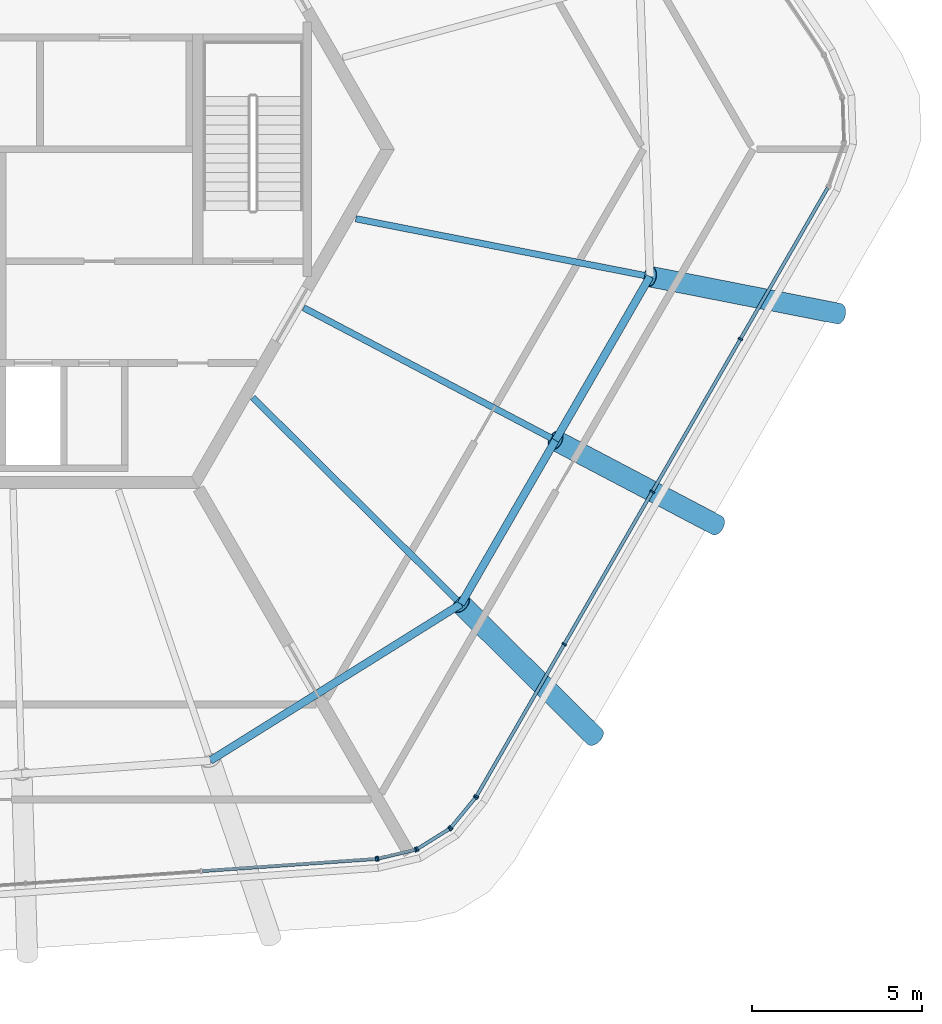
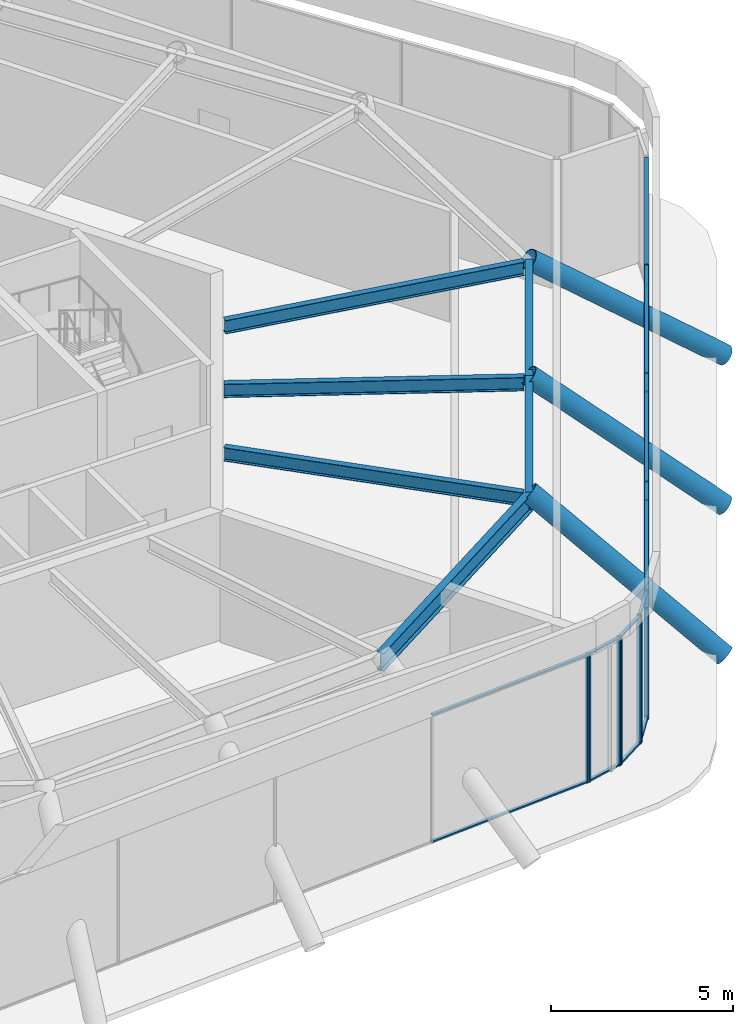
# One storey, part 4 of 13: 30 members, 6 beams, 5 elements without a shape of their own.
"""IFC4 building model written with IfcOpenShell, lengths in metres."""

from ifc_helpers import new_model, si_unit, direction, frame, origin, origin_2d, place, context, subcontext, project, spatial, rectangle, hollow_circle, i_section, extrude, material, material_profile, profile_set, type_object, element, aggregate, save


model = new_model("IFC4")

# Units and contexts
model_context = context("Model", 3, precision=1e-05, world=origin(), true_north=direction((0.0, 1.0)))
body_context = subcontext(model_context, "Body", "Model", "MODEL_VIEW")
ifc_project = project(units=[si_unit("LENGTHUNIT", "METRE"), si_unit("AREAUNIT", "SQUARE_METRE"), si_unit("VOLUMEUNIT", "CUBIC_METRE"), si_unit("PLANEANGLEUNIT", "RADIAN"), si_unit("MASSUNIT", "GRAM", prefix="KILO")], contexts=[model_context])

# Site, building, storey
site_placement = place(None, origin())
site = spatial("IfcSite", under=ifc_project, at=site_placement, CompositionType="ELEMENT")
building_placement = place(site_placement, origin())
building = spatial("IfcBuilding", under=site, at=building_placement, Name="Tarnside Tower", CompositionType="ELEMENT")
storey_placement = place(building_placement, frame((0.0, 0.0, 388.199951171875)))
storey = spatial("IfcBuildingStorey", under=building, at=storey_placement, Name="L92", CompositionType="ELEMENT", Elevation=388.199951171875)

# Curtain wall, members
ifc_material_1 = material(Name="Crown glazing wall", Category="glass")
curtain_wall_type = type_object("IfcCurtainWallType", Name="Crown glazing wall", PredefinedType="NOTDEFINED", material=ifc_material_1)
curtain_wall_1_placement = place(storey_placement, origin())
curtain_wall_1 = element("IfcCurtainWall", 1, at=curtain_wall_1_placement, inside=storey, type_object=curtain_wall_type, Name="Crown glazing L92 08", PredefinedType="NOTDEFINED")
ifc_material_2 = material(Name="Aluminium alloy 6063", Category="aluminium")
ifc_material_profile_1 = material_profile(ifc_material_2, rectangle(XDim=0.139892578125, YDim=0.050048828125, at=origin_2d()), Name="Crown glazing mullion 50 x 140")
ifc_profile_set_1 = profile_set([ifc_material_profile_1], Name="Aluminium alloy 6063")
member_type_1 = type_object("IfcMemberType", Name="Crown glazing mullion 50 x 140", PredefinedType="MULLION", material=ifc_profile_set_1)
member_1_placement = place(storey_placement, frame((21.748291015625, -5.591064453125, 0.0), z_axis=(0.0, 0.0, 1.0), x_axis=(0.866025403784, -0.5, 0.0)))
member_1 = element("IfcMember", 2, at=member_1_placement, type_object=member_type_1, Name="CW6 mullion 2", PredefinedType="MULLION", context=body_context, shape_type="SweptSolid", body=[
    extrude(rectangle(XDim=0.139892578125, YDim=0.050048828125, at=origin_2d()), origin(), (0.0, 0.0, 1.0), 4.300048828125),
])
member_2_placement = place(storey_placement, frame((19.150634765625, -10.090087890625, 0.0), z_axis=(0.0, 0.0, 1.0), x_axis=(0.866025403784, -0.5, 0.0)))
member_2 = element("IfcMember", 3, at=member_2_placement, type_object=member_type_1, Name="CW6 mullion 3", PredefinedType="MULLION", context=body_context, shape_type="SweptSolid", body=[
    extrude(rectangle(XDim=0.139892578125, YDim=0.050048828125, at=origin_2d()), origin(), (0.0, 0.0, 1.0), 4.300048828125),
])
member_3_placement = place(storey_placement, frame((16.55322265625, -14.589111328125, 0.0), z_axis=(0.0, 0.0, 1.0), x_axis=(0.866025403784, -0.5, 0.0)))
member_3 = element("IfcMember", 4, at=member_3_placement, type_object=member_type_1, Name="CW6 mullion 4", PredefinedType="MULLION", context=body_context, shape_type="SweptSolid", body=[
    extrude(rectangle(XDim=0.139892578125, YDim=0.050048828125, at=origin_2d()), origin(), (0.0, 0.0, 1.0), 4.300048828125),
])
member_4_placement = place(storey_placement, frame((13.96826171875, -19.06640625, 0.0), z_axis=(0.0, 0.0, 1.0), x_axis=(0.866025403784, -0.5, 0.0)))
member_4 = element("IfcMember", 5, at=member_4_placement, type_object=member_type_1, Name="CW6 mullion 5", PredefinedType="MULLION", context=body_context, shape_type="SweptSolid", body=[
    extrude(rectangle(XDim=0.139892578125, YDim=0.050048828125, at=origin_2d()), origin(), (0.0, 0.0, 1.0), 4.300048828125),
])

curtain_wall_2_placement = place(storey_placement, origin())
curtain_wall_2 = element("IfcCurtainWall", 6, at=curtain_wall_2_placement, inside=storey, type_object=curtain_wall_type, Name="Crown glazing L92 09", PredefinedType="NOTDEFINED")
member_5_placement = place(storey_placement, frame((13.93994140625, -19.107421875, 0.0), z_axis=(0.0, 0.0, 1.0), x_axis=(0.773471592572, -0.633830967597, 0.0)))
member_5 = element("IfcMember", 7, at=member_5_placement, type_object=member_type_1, Name="CW6 mullion 1", PredefinedType="MULLION", context=body_context, shape_type="SweptSolid", body=[
    extrude(rectangle(XDim=0.139892578125, YDim=0.050048828125, at=origin_2d()), origin(), (0.0, 0.0, 1.0), 4.300048828125),
])
member_6_placement = place(storey_placement, frame((13.21435546875, -19.99267578125, 0.0), z_axis=(0.0, 0.0, 1.0), x_axis=(0.773471592572, -0.633830967597, 0.0)))
member_6 = element("IfcMember", 8, at=member_6_placement, type_object=member_type_1, Name="CW6 mullion 2", PredefinedType="MULLION", context=body_context, shape_type="SweptSolid", body=[
    extrude(rectangle(XDim=0.139892578125, YDim=0.050048828125, at=origin_2d()), origin(), (0.0, 0.0, 1.0), 4.300048828125),
])

curtain_wall_3_placement = place(storey_placement, origin())
curtain_wall_3 = element("IfcCurtainWall", 9, at=curtain_wall_3_placement, inside=storey, type_object=curtain_wall_type, Name="Crown glazing L92 10", PredefinedType="NOTDEFINED")
member_7_placement = place(storey_placement, frame((13.17724609375, -20.025146484375, 0.0), z_axis=(0.0, 0.0, 1.0), x_axis=(0.529919264485, -0.848048095999, 0.0)))
member_7 = element("IfcMember", 10, at=member_7_placement, type_object=member_type_1, Name="CW6 mullion 1", PredefinedType="MULLION", context=body_context, shape_type="SweptSolid", body=[
    extrude(rectangle(XDim=0.139892578125, YDim=0.050048828125, at=origin_2d()), origin(), (0.0, 0.0, 1.0), 4.300048828125),
])
member_8_placement = place(storey_placement, frame((12.221923828125, -20.6220703125, 0.0), z_axis=(0.0, 0.0, 1.0), x_axis=(0.529919264485, -0.848048095999, 0.0)))
member_8 = element("IfcMember", 11, at=member_8_placement, type_object=member_type_1, Name="CW6 mullion 2", PredefinedType="MULLION", context=body_context, shape_type="SweptSolid", body=[
    extrude(rectangle(XDim=0.139892578125, YDim=0.050048828125, at=origin_2d()), origin(), (0.0, 0.0, 1.0), 4.300048828125),
])

curtain_wall_4_placement = place(storey_placement, origin())
curtain_wall_4 = element("IfcCurtainWall", 12, at=curtain_wall_4_placement, inside=storey, type_object=curtain_wall_type, Name="Crown glazing L92 11", PredefinedType="NOTDEFINED")
member_9_placement = place(storey_placement, frame((12.176513671875, -20.64111328125, 0.0), z_axis=(0.0, 0.0, 1.0), x_axis=(0.230615871195, -0.973044870472, 0.0)))
member_9 = element("IfcMember", 13, at=member_9_placement, type_object=member_type_1, Name="CW6 mullion 1", PredefinedType="MULLION", context=body_context, shape_type="SweptSolid", body=[
    extrude(rectangle(XDim=0.139892578125, YDim=0.050048828125, at=origin_2d()), origin(), (0.0, 0.0, 1.0), 4.300048828125),
])
member_10_placement = place(storey_placement, frame((11.062744140625, -20.9052734375, 0.0), z_axis=(0.0, 0.0, 1.0), x_axis=(0.230615871195, -0.973044870472, 0.0)))
member_10 = element("IfcMember", 14, at=member_10_placement, type_object=member_type_1, Name="CW6 mullion 2", PredefinedType="MULLION", context=body_context, shape_type="SweptSolid", body=[
    extrude(rectangle(XDim=0.139892578125, YDim=0.050048828125, at=origin_2d()), origin(), (0.0, 0.0, 1.0), 4.300048828125),
])

# Curtain wall, member
curtain_wall_5_placement = place(storey_placement, origin())
curtain_wall_5 = element("IfcCurtainWall", 15, at=curtain_wall_5_placement, inside=storey, type_object=curtain_wall_type, Name="Crown glazing L92 12", PredefinedType="NOTDEFINED")
member_11_placement = place(storey_placement, frame((11.013427734375, -20.91259765625, 0.0), z_axis=(0.0, 0.0, 1.0), x_axis=(0.069756473744, -0.99756405026, 0.0)))
member_11 = element("IfcMember", 16, at=member_11_placement, type_object=member_type_1, Name="CW6 mullion 1", PredefinedType="MULLION", context=body_context, shape_type="SweptSolid", body=[
    extrude(rectangle(XDim=0.139892578125, YDim=0.050048828125, at=origin_2d()), origin(), (0.0, 0.0, 1.0), 4.300048828125),
])

# Member
ifc_material_profile_2 = material_profile(ifc_material_2, rectangle(XDim=0.10009765625, YDim=0.050048828125, at=origin_2d()), Name="Crown glazing transom 50 x 100")
ifc_profile_set_2 = profile_set([ifc_material_profile_2], Name="Aluminium alloy 6063")
member_type_2 = type_object("IfcMemberType", Name="Crown glazing transom 50 x 100", PredefinedType="USERDEFINED", material=ifc_profile_set_2)
member_12_placement = place(storey_placement, frame((24.32080078125, -1.13525390625, 0.025146484375), z_axis=(-0.500005879718, -0.866022009101, 0.0), x_axis=(0.866022009101, -0.500005879718, 0.0)))
member_12 = element("IfcMember", 17, at=member_12_placement, type_object=member_type_2, Name="CW6 transom 1.1", ObjectType="TRANSOM", PredefinedType="USERDEFINED", context=body_context, shape_type="SweptSolid", body=[
    extrude(rectangle(XDim=0.10009765625, YDim=0.050048828125, at=origin_2d()), origin(), (0.0, 0.0, 1.0), 5.1201171875),
])

member_13_placement = place(storey_placement, frame((24.32080078125, -1.13525390625, 4.275146484375), z_axis=(-0.500005879718, -0.866022009101, 0.0), x_axis=(0.866022009101, -0.500005879718, 0.0)))
member_13 = element("IfcMember", 18, at=member_13_placement, type_object=member_type_2, Name="CW6 transom 1.2", ObjectType="TRANSOM", PredefinedType="USERDEFINED", context=body_context, shape_type="SweptSolid", body=[
    extrude(rectangle(XDim=0.10009765625, YDim=0.050048828125, at=origin_2d()), origin(), (0.0, 0.0, 1.0), 5.1201171875),
])

member_14_placement = place(storey_placement, frame((21.735595703125, -5.61279296875, 0.025146484375), z_axis=(-0.5000127264, -0.866018056069, 0.0), x_axis=(0.866018056069, -0.5000127264, 0.0)))
member_14 = element("IfcMember", 19, at=member_14_placement, type_object=member_type_2, Name="CW6 transom 2.1", ObjectType="TRANSOM", PredefinedType="USERDEFINED", context=body_context, shape_type="SweptSolid", body=[
    extrude(rectangle(XDim=0.10009765625, YDim=0.050048828125, at=origin_2d()), origin(), (0.0, 0.0, 1.0), 5.144775390625),
])

member_15_placement = place(storey_placement, frame((21.735595703125, -5.61279296875, 4.275146484375), z_axis=(-0.5000127264, -0.866018056069, 0.0), x_axis=(0.866018056069, -0.5000127264, 0.0)))
member_15 = element("IfcMember", 20, at=member_15_placement, type_object=member_type_2, Name="CW6 transom 2.2", ObjectType="TRANSOM", PredefinedType="USERDEFINED", context=body_context, shape_type="SweptSolid", body=[
    extrude(rectangle(XDim=0.10009765625, YDim=0.050048828125, at=origin_2d()), origin(), (0.0, 0.0, 1.0), 5.144775390625),
])

member_16_placement = place(storey_placement, frame((19.13818359375, -10.111572265625, 0.025146484375), z_axis=(-0.499992178984, -0.866029919203, 0.0), x_axis=(0.866029919203, -0.499992178984, 0.0)))
member_16 = element("IfcMember", 21, at=member_16_placement, type_object=member_type_2, Name="CW6 transom 3.1", ObjectType="TRANSOM", PredefinedType="USERDEFINED", context=body_context, shape_type="SweptSolid", body=[
    extrude(rectangle(XDim=0.10009765625, YDim=0.050048828125, at=origin_2d()), origin(), (0.0, 0.0, 1.0), 5.14501953125),
])

member_17_placement = place(storey_placement, frame((19.13818359375, -10.111572265625, 4.275146484375), z_axis=(-0.499992178984, -0.866029919203, 0.0), x_axis=(0.866029919203, -0.499992178984, 0.0)))
member_17 = element("IfcMember", 22, at=member_17_placement, type_object=member_type_2, Name="CW6 transom 3.2", ObjectType="TRANSOM", PredefinedType="USERDEFINED", context=body_context, shape_type="SweptSolid", body=[
    extrude(rectangle(XDim=0.10009765625, YDim=0.050048828125, at=origin_2d()), origin(), (0.0, 0.0, 1.0), 5.14501953125),
])

member_18_placement = place(storey_placement, frame((16.540771484375, -14.610595703125, 0.025146484375), z_axis=(-0.500005879718, -0.866022009101, 0.0), x_axis=(0.866022009101, -0.500005879718, 0.0)))
member_18 = element("IfcMember", 23, at=member_18_placement, type_object=member_type_2, Name="CW6 transom 4.1", ObjectType="TRANSOM", PredefinedType="USERDEFINED", context=body_context, shape_type="SweptSolid", body=[
    extrude(rectangle(XDim=0.10009765625, YDim=0.050048828125, at=origin_2d()), origin(), (0.0, 0.0, 1.0), 5.1201171875),
])

member_19_placement = place(storey_placement, frame((16.540771484375, -14.610595703125, 4.275146484375), z_axis=(-0.500005879718, -0.866022009101, 0.0), x_axis=(0.866022009101, -0.500005879718, 0.0)))
member_19 = element("IfcMember", 24, at=member_19_placement, type_object=member_type_2, Name="CW6 transom 4.2", ObjectType="TRANSOM", PredefinedType="USERDEFINED", context=body_context, shape_type="SweptSolid", body=[
    extrude(rectangle(XDim=0.10009765625, YDim=0.050048828125, at=origin_2d()), origin(), (0.0, 0.0, 1.0), 5.1201171875),
])

aggregate(curtain_wall_1, [member_1, member_2, member_3, member_4, member_12, member_13, member_14, member_15, member_16, member_17, member_18, member_19])

member_20_placement = place(storey_placement, frame((13.924072265625, -19.126708984375, 0.025146484375), z_axis=(-0.633844849102, -0.77346021699, 0.0), x_axis=(0.77346021699, -0.633844849102, 0.0)))
member_20 = element("IfcMember", 25, at=member_20_placement, type_object=member_type_2, Name="CW6 transom 1.1", ObjectType="TRANSOM", PredefinedType="USERDEFINED", context=body_context, shape_type="SweptSolid", body=[
    extrude(rectangle(XDim=0.10009765625, YDim=0.050048828125, at=origin_2d()), origin(), (0.0, 0.0, 1.0), 1.0947265625),
])

member_21_placement = place(storey_placement, frame((13.924072265625, -19.126708984375, 4.275146484375), z_axis=(-0.633844849102, -0.77346021699, 0.0), x_axis=(0.77346021699, -0.633844849102, 0.0)))
member_21 = element("IfcMember", 26, at=member_21_placement, type_object=member_type_2, Name="CW6 transom 1.2", ObjectType="TRANSOM", PredefinedType="USERDEFINED", context=body_context, shape_type="SweptSolid", body=[
    extrude(rectangle(XDim=0.10009765625, YDim=0.050048828125, at=origin_2d()), origin(), (0.0, 0.0, 1.0), 1.0947265625),
])

aggregate(curtain_wall_2, [member_5, member_6, member_20, member_21])

member_22_placement = place(storey_placement, frame((13.156005859375, -20.03857421875, 0.025146484375), z_axis=(-0.848087491662, -0.529856213031, 0.0), x_axis=(0.529856213031, -0.848087491662, 0.0)))
member_22 = element("IfcMember", 27, at=member_22_placement, type_object=member_type_2, Name="CW6 transom 1.1", ObjectType="TRANSOM", PredefinedType="USERDEFINED", context=body_context, shape_type="SweptSolid", body=[
    extrude(rectangle(XDim=0.10009765625, YDim=0.050048828125, at=origin_2d()), origin(), (0.0, 0.0, 1.0), 1.076416015625),
])

member_23_placement = place(storey_placement, frame((13.156005859375, -20.03857421875, 4.275146484375), z_axis=(-0.848087491662, -0.529856213031, 0.0), x_axis=(0.529856213031, -0.848087491662, 0.0)))
member_23 = element("IfcMember", 28, at=member_23_placement, type_object=member_type_2, Name="CW6 transom 1.2", ObjectType="TRANSOM", PredefinedType="USERDEFINED", context=body_context, shape_type="SweptSolid", body=[
    extrude(rectangle(XDim=0.10009765625, YDim=0.050048828125, at=origin_2d()), origin(), (0.0, 0.0, 1.0), 1.076416015625),
])

aggregate(curtain_wall_3, [member_7, member_8, member_22, member_23])

member_24_placement = place(storey_placement, frame((12.152099609375, -20.64697265625, 0.025146484375), z_axis=(-0.973047372606, -0.230605313609, 0.0), x_axis=(0.230605313609, -0.973047372606, 0.0)))
member_24 = element("IfcMember", 29, at=member_24_placement, type_object=member_type_2, Name="CW6 transom 1.1", ObjectType="TRANSOM", PredefinedType="USERDEFINED", context=body_context, shape_type="SweptSolid", body=[
    extrude(rectangle(XDim=0.10009765625, YDim=0.050048828125, at=origin_2d()), origin(), (0.0, 0.0, 1.0), 1.0947265625),
])

member_25_placement = place(storey_placement, frame((12.152099609375, -20.64697265625, 4.275146484375), z_axis=(-0.973047372606, -0.230605313609, 0.0), x_axis=(0.230605313609, -0.973047372606, 0.0)))
member_25 = element("IfcMember", 30, at=member_25_placement, type_object=member_type_2, Name="CW6 transom 1.2", ObjectType="TRANSOM", PredefinedType="USERDEFINED", context=body_context, shape_type="SweptSolid", body=[
    extrude(rectangle(XDim=0.10009765625, YDim=0.050048828125, at=origin_2d()), origin(), (0.0, 0.0, 1.0), 1.0947265625),
])

aggregate(curtain_wall_4, [member_9, member_10, member_24, member_25])

member_26_placement = place(storey_placement, frame((10.988525390625, -20.914306640625, 0.025146484375), z_axis=(-0.997563615242, -0.069762694508, 0.0), x_axis=(0.069762694508, -0.997563615242, 0.0)))
member_26 = element("IfcMember", 31, at=member_26_placement, type_object=member_type_2, Name="CW6 transom 1.1", ObjectType="TRANSOM", PredefinedType="USERDEFINED", context=body_context, shape_type="SweptSolid", body=[
    extrude(rectangle(XDim=0.10009765625, YDim=0.050048828125, at=origin_2d()), origin(), (0.0, 0.0, 1.0), 5.119873046875),
])

member_27_placement = place(storey_placement, frame((10.988525390625, -20.914306640625, 4.275146484375), z_axis=(-0.997563615242, -0.069762694508, 0.0), x_axis=(0.069762694508, -0.997563615242, 0.0)))
member_27 = element("IfcMember", 32, at=member_27_placement, type_object=member_type_2, Name="CW6 transom 1.2", ObjectType="TRANSOM", PredefinedType="USERDEFINED", context=body_context, shape_type="SweptSolid", body=[
    extrude(rectangle(XDim=0.10009765625, YDim=0.050048828125, at=origin_2d()), origin(), (0.0, 0.0, 1.0), 5.119873046875),
])

aggregate(curtain_wall_5, [member_11, member_26, member_27])

# Beams
ifc_material_3 = material(Name="Steel S355", Category="steel")
ifc_material_profile_3 = material_profile(ifc_material_3, i_section(OverallWidth=0.18994140625, OverallDepth=0.453369140625, WebThickness=0.008544921875, FlangeThickness=0.0126953125, FilletRadius=0.01025390625, at=origin_2d()), Name="UB 457x191x67")
ifc_profile_set_3 = profile_set([ifc_material_profile_3], Name="Steel S355")
beam_type_1 = type_object("IfcBeamType", Name="Floor beam UB 457x191x67", PredefinedType="BEAM", material=ifc_profile_set_3)
beam_1_placement = place(storey_placement, frame((13.39697265625, -13.2900390625, 4.0732421875), z_axis=(-0.709933940096, 0.704268273245, 0.0), x_axis=(-0.704268273245, -0.709933940096, 0.0)))
element("IfcBeam", 33, at=beam_1_placement, inside=storey, type_object=beam_type_1, Name="Floor beam RB13", PredefinedType="BEAM", context=body_context, shape_type="SweptSolid", body=[
    extrude(i_section(OverallWidth=0.18994140625, OverallDepth=0.453369140625, WebThickness=0.008544921875, FlangeThickness=0.0126953125, FilletRadius=0.01025390625, at=origin_2d()), origin(), (0.0, 0.0, 1.0), 8.489013671875),
])
beam_2_placement = place(storey_placement, frame((16.176513671875, -8.51318359375, 4.0732421875), z_axis=(-0.884932340404, 0.465719607604, 0.0), x_axis=(-0.465719607604, -0.884932340404, 0.0)))
element("IfcBeam", 34, at=beam_2_placement, inside=storey, type_object=beam_type_1, Name="Floor beam RB14", PredefinedType="BEAM", context=body_context, shape_type="SweptSolid", body=[
    extrude(i_section(OverallWidth=0.18994140625, OverallDepth=0.453369140625, WebThickness=0.008544921875, FlangeThickness=0.0126953125, FilletRadius=0.01025390625, at=origin_2d()), origin(), (0.0, 0.0, 1.0), 8.252197265625),
])
beam_3_placement = place(storey_placement, frame((18.923828125, -3.718994140625, 4.0732421875), z_axis=(-0.981228859755, 0.192846894671, 0.0), x_axis=(-0.192846894671, -0.981228859755, 0.0)))
element("IfcBeam", 35, at=beam_3_placement, inside=storey, type_object=beam_type_1, Name="Floor beam RB15", PredefinedType="BEAM", context=body_context, shape_type="SweptSolid", body=[
    extrude(i_section(OverallWidth=0.18994140625, OverallDepth=0.453369140625, WebThickness=0.008544921875, FlangeThickness=0.0126953125, FilletRadius=0.01025390625, at=origin_2d()), origin(), (0.0, 0.0, 1.0), 8.677001953125),
])
ifc_material_profile_4 = material_profile(ifc_material_3, i_section(OverallWidth=0.228271484375, OverallDepth=0.607666015625, WebThickness=0.010986328125, FlangeThickness=0.017333984375, FilletRadius=0.0126953125, at=origin_2d()), Name="UB 610x229x113")
ifc_profile_set_4 = profile_set([ifc_material_profile_4], Name="Steel S355")
beam_type_2 = type_object("IfcBeamType", Name="Floor beam UB 610x229x113", PredefinedType="BEAM", material=ifc_profile_set_4)
beam_4_placement = place(storey_placement, frame((6.123046875, -18.016845703125, 3.996337890625), z_axis=(0.848045543653, 0.52992334907, 0.0), x_axis=(-0.52992334907, 0.848045543653, 0.0)))
element("IfcBeam", 36, at=beam_4_placement, inside=storey, type_object=beam_type_2, Name="Floor beam R12", PredefinedType="BEAM", context=body_context, shape_type="SweptSolid", body=[
    extrude(i_section(OverallWidth=0.228271484375, OverallDepth=0.607666015625, WebThickness=0.010986328125, FlangeThickness=0.017333984375, FilletRadius=0.0126953125, at=origin_2d()), origin(), (0.0, 0.0, 1.0), 8.709716796875),
])
for number, where, z_axis, x_axis, name in (
    (37, (13.50927734375, -13.4013671875, 3.996337890625), (0.500003107902, 0.866023609429, 0.0), (-0.866023609429, 0.500003107902, 0.0), "Floor beam R13"),
    (38, (16.29541015625, -8.57568359375, 3.996337890625), (0.500003107902, 0.866023609429, 0.0), (-0.866023609429, 0.500003107902, 0.0), "Floor beam R14"),
):
    element("IfcBeam", number, at=place(storey_placement, frame(where, z_axis=z_axis, x_axis=x_axis)), inside=storey, type_object=beam_type_2, Name=name, PredefinedType="BEAM", context=body_context, shape_type="SweptSolid", body=[
        extrude(i_section(OverallWidth=0.228271484375, OverallDepth=0.607666015625, WebThickness=0.010986328125, FlangeThickness=0.017333984375, FilletRadius=0.0126953125, at=origin_2d()), origin(), (0.0, 0.0, 1.0), 5.572265625),
    ])

# Members
ifc_material_profile_5 = material_profile(ifc_material_3, hollow_circle(Radius=0.304931640625, WallThickness=0.02490234375, at=origin_2d()), Name="CHS 610x25")
ifc_profile_set_5 = profile_set([ifc_material_profile_5], Name="Steel S355")
member_type_3 = type_object("IfcMemberType", Name="Truss diagonal CHS 610x25", PredefinedType="BRACE", material=ifc_profile_set_5)
member_28_placement = place(storey_placement, frame((17.45556640625, -17.316162109375, -0.199951171875), z_axis=(-0.551786535201, 0.547382893587, 0.629208699383), x_axis=(-0.704268222131, -0.709933990803, 0.0)))
element("IfcMember", 39, at=member_28_placement, inside=storey, type_object=member_type_3, Name="Crown leg L92 13", PredefinedType="BRACE", context=body_context, shape_type="SweptSolid", body=[
    extrude(hollow_circle(Radius=0.304931640625, WallThickness=0.02490234375, at=origin_2d()), origin(), (0.0, 0.0, 1.0), 7.15185546875),
])
member_29_placement = place(storey_placement, frame((21.0556640625, -11.080810546875, -0.199951171875), z_axis=(-0.678751473799, 0.357199142099, 0.641642587192), x_axis=(-0.465707150229, -0.884938896323, 0.0)))
element("IfcMember", 40, at=member_29_placement, inside=storey, type_object=member_type_3, Name="Crown leg L92 14", PredefinedType="BRACE", context=body_context, shape_type="SweptSolid", body=[
    extrude(hollow_circle(Radius=0.304931640625, WallThickness=0.02490234375, at=origin_2d()), origin(), (0.0, 0.0, 1.0), 7.01318359375),
])
member_30_placement = place(storey_placement, frame((24.655517578125, -4.84521484375, -0.199951171875), z_axis=(-0.769144696729, 0.151127112677, 0.620948493281), x_axis=(-0.192800725562, -0.981237932523, 0.0)))
element("IfcMember", 41, at=member_30_placement, inside=storey, type_object=member_type_3, Name="Crown leg L92 15", PredefinedType="BRACE", context=body_context, shape_type="SweptSolid", body=[
    extrude(hollow_circle(Radius=0.304931640625, WallThickness=0.02490234375, at=origin_2d()), origin(), (0.0, 0.0, 1.0), 7.2470703125),
])

save(model, "model.ifc")
